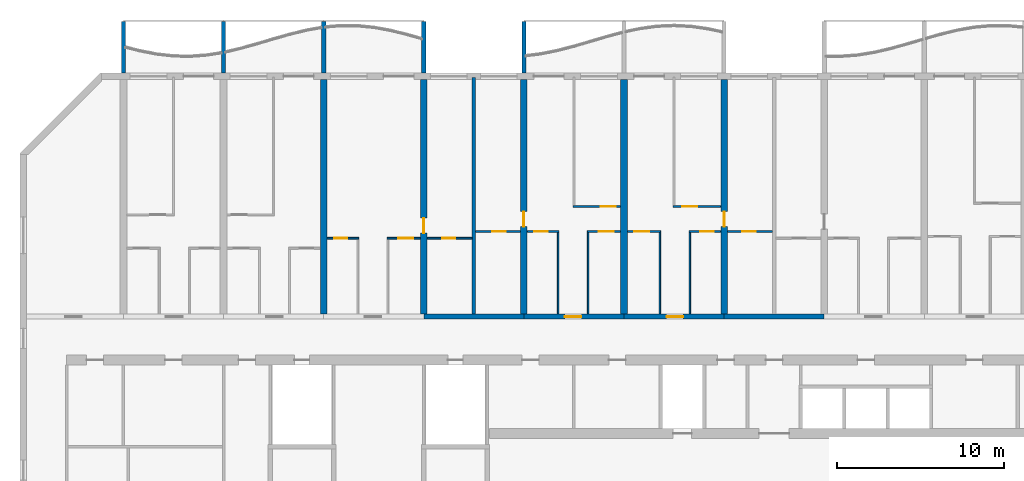
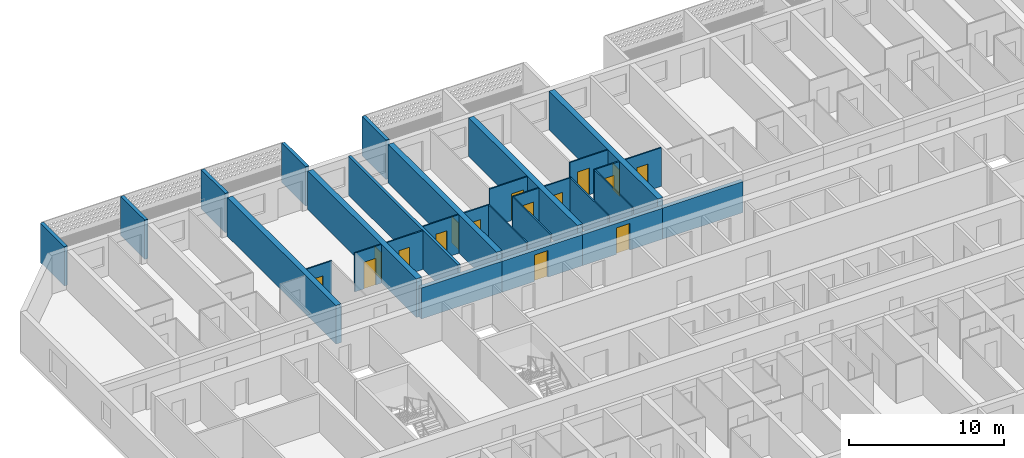
# One storey, part 10 of 39: 30 walls, 16 doors, 16 openings.
"""IFC4 building model written with IfcOpenShell, lengths in metres."""

from ifc_helpers import new_model, si_unit, direction, frame, frame_2d, origin, place, context, subcontext, project, spatial, polyline, rectangle, outline, extrude, source, transform, mapped, material, layer, layer_set, type_object, element, fill, save


model = new_model("IFC4")

# Units and contexts
model_context = context("Model", 3, precision=1e-05, world=origin(), true_north=direction((0.0, 1.0)))
body_context = subcontext(model_context, "Body", "Model", "MODEL_VIEW")
ifc_project = project(units=[si_unit("LENGTHUNIT", "METRE"), si_unit("AREAUNIT", "SQUARE_METRE"), si_unit("VOLUMEUNIT", "CUBIC_METRE"), si_unit("PLANEANGLEUNIT", "RADIAN"), si_unit("MASSUNIT", "GRAM", prefix="KILO")], contexts=[model_context])

# Site, building, storey
site_placement = place(None, origin())
site = spatial("IfcSite", under=ifc_project, at=site_placement, CompositionType="ELEMENT")
building_placement = place(site_placement, origin())
building = spatial("IfcBuilding", under=site, at=building_placement, Name="Poui Terraces", CompositionType="ELEMENT")
storey_placement = place(building_placement, frame((0.0, 0.0, 56.39990234375)))
storey = spatial("IfcBuildingStorey", under=building, at=storey_placement, Name="L15", CompositionType="ELEMENT", Elevation=56.39990234375)

# Wall
ifc_material_1 = material(Name="Concrete 80 MPa", Category="concrete")
ifc_layer_1 = layer(ifc_material_1, 0.300048828125)
ifc_layer_set_1 = layer_set([ifc_layer_1], Name="Concrete 80 MPa")
wall_type_1 = type_object("IfcWallType", Name="CORRIDOR WALL 300 80MPa", PredefinedType="SHEAR", material=ifc_layer_set_1)
wall_1_placement = place(storey_placement, frame((30.0, 30.39990234375, 0.0), z_axis=(0.0, 0.0, 1.0), x_axis=(1.0, 0.0, 0.0)))
element("IfcWall", 1, at=wall_1_placement, inside=storey, type_object=wall_type_1, Name="CORRIDOR WALL LINE E BAY 5", PredefinedType="SHEAR", context=body_context, shape_type="SweptSolid", body=[
    extrude(rectangle(XDim=6.0, YDim=0.300048828125, at=frame_2d((3.0, 0.0))), origin(), (0.0, 0.0, 1.0), 2.4501953125),
])

# Wall, opening, door
wall_2_placement = place(storey_placement, frame((36.0, 30.39990234375, 0.0), z_axis=(0.0, 0.0, 1.0), x_axis=(1.0, 0.0, 0.0)))
wall_2 = element("IfcWall", 2, at=wall_2_placement, inside=storey, type_object=wall_type_1, Name="CORRIDOR WALL LINE E BAY 6", PredefinedType="SHEAR", context=body_context, shape_type="SweptSolid", body=[
    extrude(rectangle(XDim=6.0, YDim=0.300048828125, at=frame_2d((3.0, 0.0))), origin(), (0.0, 0.0, 1.0), 2.4501953125),
])
opening_1_placement = place(wall_2_placement, frame((2.449951171875, 0.0, 0.0)))
opening_1 = element("IfcOpeningElement", 3, at=opening_1_placement, cuts=wall_2, Name="Opening FD30S", PredefinedType="OPENING", context=body_context, shape_type="SweptSolid", body=[
    extrude(rectangle(XDim=1.0, YDim=2.10009765625, at=frame_2d((0.5, 1.050048828125))), frame((0.0, 0.16015625, 0.0), z_axis=(0.0, -1.0, 0.0), x_axis=(1.0, 0.0, 0.0)), (0.0, 0.0, 1.0), 0.320068359375),
])
ifc_material_2 = material(Name="Steel fire door", Category="steel")
door_type_1 = type_object("IfcDoorType", Name="FLAT ENTRANCE DOOR 1000 X 2100", OperationType="NOTDEFINED", PredefinedType="DOOR", material=ifc_material_2)
door_1_placement = place(opening_1_placement, origin())
door_1 = element("IfcDoor", 4, at=door_1_placement, inside=storey, type_object=door_type_1, Name="FLAT ENTRANCE DOOR 049", OperationType="SINGLE_SWING_LEFT", OverallHeight=2.10009765625, OverallWidth=1.0, PredefinedType="DOOR", context=body_context, shape_type="SweptSolid", body=[
    extrude(rectangle(XDim=1.0, YDim=2.10009765625, at=frame_2d((0.5, 1.050048828125))), frame((0.0, 0.02490234375, 0.0), z_axis=(0.0, -1.0, 0.0), x_axis=(1.0, 0.0, 0.0)), (0.0, 0.0, 1.0), 0.050048828125),
])
fill(opening_1, door_1)

wall_3_placement = place(storey_placement, frame((42.0, 30.39990234375, 0.0), z_axis=(0.0, 0.0, 1.0), x_axis=(1.0, 0.0, 0.0)))
wall_3 = element("IfcWall", 5, at=wall_3_placement, inside=storey, type_object=wall_type_1, Name="CORRIDOR WALL LINE E BAY 7", PredefinedType="SHEAR", context=body_context, shape_type="SweptSolid", body=[
    extrude(rectangle(XDim=6.0, YDim=0.300048828125, at=frame_2d((3.0, 0.0))), origin(), (0.0, 0.0, 1.0), 2.4501953125),
])
opening_2_placement = place(wall_3_placement, frame((2.550048828125, 0.0, 0.0)))
opening_2 = element("IfcOpeningElement", 6, at=opening_2_placement, cuts=wall_3, Name="Opening FD30S", PredefinedType="OPENING", context=body_context, shape_type="SweptSolid", body=[
    extrude(rectangle(XDim=1.0, YDim=2.10009765625, at=frame_2d((0.5, 1.050048828125))), frame((0.0, 0.16015625, 0.0), z_axis=(0.0, -1.0, 0.0), x_axis=(1.0, 0.0, 0.0)), (0.0, 0.0, 1.0), 0.320068359375),
])
door_2_placement = place(opening_2_placement, origin())
door_2 = element("IfcDoor", 7, at=door_2_placement, inside=storey, type_object=door_type_1, Name="FLAT ENTRANCE DOOR 054", OperationType="SINGLE_SWING_RIGHT", OverallHeight=2.10009765625, OverallWidth=1.0, PredefinedType="DOOR", context=body_context, shape_type="SweptSolid", body=[
    extrude(rectangle(XDim=1.0, YDim=2.10009765625, at=frame_2d((0.5, 1.050048828125))), frame((0.0, 0.02490234375, 0.0), z_axis=(0.0, -1.0, 0.0), x_axis=(1.0, 0.0, 0.0)), (0.0, 0.0, 1.0), 0.050048828125),
])
fill(opening_2, door_2)

# Walls
wall_4_placement = place(storey_placement, frame((48.0, 30.39990234375, 0.0), z_axis=(0.0, 0.0, 1.0), x_axis=(1.0, 0.0, 0.0)))
element("IfcWall", 8, at=wall_4_placement, inside=storey, type_object=wall_type_1, Name="CORRIDOR WALL LINE E BAY 8", PredefinedType="SHEAR", context=body_context, shape_type="SweptSolid", body=[
    extrude(rectangle(XDim=6.0, YDim=0.300048828125, at=frame_2d((3.0, 0.0))), origin(), (0.0, 0.0, 1.0), 2.4501953125),
])
ifc_layer_2 = layer(ifc_material_1, 0.39990234375)
ifc_layer_set_2 = layer_set([ifc_layer_2], Name="Concrete 80 MPa")
wall_type_2 = type_object("IfcWallType", Name="CROSS WALL 400 80MPa", PredefinedType="SHEAR", material=ifc_layer_set_2)
wall_5_placement = place(storey_placement, frame((24.0, 30.550048828125, 0.0), z_axis=(0.0, 0.0, 1.0), x_axis=(0.0, 1.0, 0.0)))
element("IfcWall", 9, at=wall_5_placement, inside=storey, type_object=wall_type_2, Name="CROSS WALL LINE 5 NORTH", PredefinedType="SHEAR", context=body_context, shape_type="SweptSolid", body=[
    extrude(rectangle(XDim=14.050048828125, YDim=0.39990234375, at=frame_2d((7.02490234375, 0.0))), origin(), (0.0, 0.0, 1.0), 3.050048828125),
])

# Wall, opening, door
wall_6_placement = place(storey_placement, frame((30.0, 30.550048828125, 0.0), z_axis=(0.0, 0.0, 1.0), x_axis=(0.0, 1.0, 0.0)))
wall_6 = element("IfcWall", 10, at=wall_6_placement, inside=storey, type_object=wall_type_2, Name="CROSS WALL LINE 6 NORTH", PredefinedType="SHEAR", context=body_context, shape_type="SweptSolid", body=[
    extrude(rectangle(XDim=14.050048828125, YDim=0.39990234375, at=frame_2d((7.02490234375, 0.0))), origin(), (0.0, 0.0, 1.0), 3.050048828125),
])
opening_3_placement = place(wall_6_placement, frame((4.85009765625, 0.0, 0.0)))
opening_3 = element("IfcOpeningElement", 11, at=opening_3_placement, cuts=wall_6, Name="Opening D90", PredefinedType="OPENING", context=body_context, shape_type="SweptSolid", body=[
    extrude(rectangle(XDim=0.89990234375, YDim=2.10009765625, at=frame_2d((0.449951171875, 1.050048828125))), frame((0.0, 0.2099609375, 0.0), z_axis=(0.0, -1.0, 0.0), x_axis=(1.0, 0.0, 0.0)), (0.0, 0.0, 1.0), 0.419921875),
])
ifc_material_3 = material(Name="Solid core timber door", Category="wood")
door_type_2 = type_object("IfcDoorType", Name="INTERNAL DOOR 900 X 2100", OperationType="NOTDEFINED", PredefinedType="DOOR", material=ifc_material_3)
door_3_placement = place(opening_3_placement, frame((0.89990234375, 0.0, 0.0), z_axis=(0.0, 0.0, 1.0), x_axis=(-1.0, 0.0, 0.0)))
door_3 = element("IfcDoor", 12, at=door_3_placement, inside=storey, type_object=door_type_2, Name="INTERNAL DOOR 045", OperationType="SINGLE_SWING_RIGHT", OverallHeight=2.10009765625, OverallWidth=0.89990234375, PredefinedType="DOOR", context=body_context, shape_type="SweptSolid", body=[
    extrude(rectangle(XDim=0.89990234375, YDim=2.10009765625, at=frame_2d((0.449951171875, 1.050048828125))), frame((0.0, 0.02490234375, 0.0), z_axis=(0.0, -1.0, 0.0), x_axis=(1.0, 0.0, 0.0)), (0.0, 0.0, 1.0), 0.050048828125),
])
fill(opening_3, door_3)

wall_7_placement = place(storey_placement, frame((36.0, 30.550048828125, 0.0), z_axis=(0.0, 0.0, 1.0), x_axis=(0.0, 1.0, 0.0)))
wall_7 = element("IfcWall", 13, at=wall_7_placement, inside=storey, type_object=wall_type_2, Name="CROSS WALL LINE 7 NORTH", PredefinedType="SHEAR", context=body_context, shape_type="SweptSolid", body=[
    extrude(rectangle(XDim=14.050048828125, YDim=0.39990234375, at=frame_2d((7.02490234375, 0.0))), origin(), (0.0, 0.0, 1.0), 3.050048828125),
])
opening_4_placement = place(wall_7_placement, frame((5.25, 0.0, 0.0)))
opening_4 = element("IfcOpeningElement", 14, at=opening_4_placement, cuts=wall_7, Name="Opening D90", PredefinedType="OPENING", context=body_context, shape_type="SweptSolid", body=[
    extrude(rectangle(XDim=0.89990234375, YDim=2.10009765625, at=frame_2d((0.449951171875, 1.050048828125))), frame((0.0, 0.2099609375, 0.0), z_axis=(0.0, -1.0, 0.0), x_axis=(1.0, 0.0, 0.0)), (0.0, 0.0, 1.0), 0.419921875),
])
door_4_placement = place(opening_4_placement, origin())
door_4 = element("IfcDoor", 15, at=door_4_placement, inside=storey, type_object=door_type_2, Name="INTERNAL DOOR 047", OperationType="SINGLE_SWING_LEFT", OverallHeight=2.10009765625, OverallWidth=0.89990234375, PredefinedType="DOOR", context=body_context, shape_type="SweptSolid", body=[
    extrude(rectangle(XDim=0.89990234375, YDim=2.10009765625, at=frame_2d((0.449951171875, 1.050048828125))), frame((0.0, 0.02490234375, 0.0), z_axis=(0.0, -1.0, 0.0), x_axis=(1.0, 0.0, 0.0)), (0.0, 0.0, 1.0), 0.050048828125),
])
fill(opening_4, door_4)

# Wall
wall_8_placement = place(storey_placement, frame((42.0, 30.550048828125, 0.0), z_axis=(0.0, 0.0, 1.0), x_axis=(0.0, 1.0, 0.0)))
element("IfcWall", 16, at=wall_8_placement, inside=storey, type_object=wall_type_2, Name="CROSS WALL LINE 8 NORTH", PredefinedType="SHEAR", context=body_context, shape_type="SweptSolid", body=[
    extrude(rectangle(XDim=14.050048828125, YDim=0.39990234375, at=frame_2d((7.02490234375, 0.0))), origin(), (0.0, 0.0, 1.0), 3.050048828125),
])

# Wall, opening, door
wall_9_placement = place(storey_placement, frame((48.0, 30.550048828125, 0.0), z_axis=(0.0, 0.0, 1.0), x_axis=(0.0, 1.0, 0.0)))
wall_9 = element("IfcWall", 17, at=wall_9_placement, inside=storey, type_object=wall_type_2, Name="CROSS WALL LINE 9 NORTH", PredefinedType="SHEAR", context=body_context, shape_type="SweptSolid", body=[
    extrude(rectangle(XDim=14.050048828125, YDim=0.39990234375, at=frame_2d((7.02490234375, 0.0))), origin(), (0.0, 0.0, 1.0), 3.050048828125),
])
opening_5_placement = place(wall_9_placement, frame((5.25, 0.0, 0.0)))
opening_5 = element("IfcOpeningElement", 18, at=opening_5_placement, cuts=wall_9, Name="Opening D90", PredefinedType="OPENING", context=body_context, shape_type="SweptSolid", body=[
    extrude(rectangle(XDim=0.89990234375, YDim=2.10009765625, at=frame_2d((0.449951171875, 1.050048828125))), frame((0.0, 0.2099609375, 0.0), z_axis=(0.0, -1.0, 0.0), x_axis=(1.0, 0.0, 0.0)), (0.0, 0.0, 1.0), 0.419921875),
])
door_5_placement = place(opening_5_placement, frame((0.89990234375, 0.0, 0.0), z_axis=(0.0, 0.0, 1.0), x_axis=(-1.0, 0.0, 0.0)))
door_5 = element("IfcDoor", 19, at=door_5_placement, inside=storey, type_object=door_type_2, Name="INTERNAL DOOR 057", OperationType="SINGLE_SWING_RIGHT", OverallHeight=2.10009765625, OverallWidth=0.89990234375, PredefinedType="DOOR", context=body_context, shape_type="SweptSolid", body=[
    extrude(rectangle(XDim=0.89990234375, YDim=2.10009765625, at=frame_2d((0.449951171875, 1.050048828125))), frame((0.0, 0.02490234375, 0.0), z_axis=(0.0, -1.0, 0.0), x_axis=(1.0, 0.0, 0.0)), (0.0, 0.0, 1.0), 0.050048828125),
])
fill(opening_5, door_5)

ifc_material_4 = material(Name="Plasterboard partition")
ifc_layer_3 = layer(ifc_material_4, 0.10009765625)
ifc_layer_set_3 = layer_set([ifc_layer_3], Name="Plasterboard partition")
wall_type_3 = type_object("IfcWallType", Name="FLAT PARTITION 100", PredefinedType="PARTITIONING", material=ifc_layer_set_3)
wall_10_placement = place(storey_placement, frame((24.2099609375, 35.10009765625, 0.0), z_axis=(0.0, 0.0, 1.0), x_axis=(1.0, 0.0, 0.0)))
wall_10 = element("IfcWall", 20, at=wall_10_placement, inside=storey, type_object=wall_type_3, Name="FLAT PARTITION 100", PredefinedType="PARTITIONING", context=body_context, shape_type="SweptSolid", body=[
    extrude(rectangle(XDim=1.89013671875, YDim=0.10009765625, at=frame_2d((0.945068359375, 0.0))), origin(), (0.0, 0.0, 1.0), 3.050048828125),
])
opening_6_placement = place(wall_10_placement, frame((0.4150390625, 0.0, 0.0)))
opening_6 = element("IfcOpeningElement", 21, at=opening_6_placement, cuts=wall_10, Name="Opening D80", PredefinedType="OPENING", context=body_context, shape_type="SweptSolid", body=[
    extrude(rectangle(XDim=0.800048828125, YDim=2.10009765625, at=frame_2d((0.39990234375, 1.050048828125))), frame((0.0, 0.06005859375, 0.0), z_axis=(0.0, -1.0, 0.0), x_axis=(1.0, 0.0, 0.0)), (0.0, 0.0, 1.0), 0.1201171875),
])
door_type_3 = type_object("IfcDoorType", Name="BATHROOM, LAUNDRY AND STORE DOOR 800 X 2100", OperationType="NOTDEFINED", PredefinedType="DOOR", material=ifc_material_3)
door_6_placement = place(opening_6_placement, frame((0.800048828125, 0.0, 0.0), z_axis=(0.0, 0.0, 1.0), x_axis=(-1.0, 0.0, 0.0)))
door_6 = element("IfcDoor", 22, at=door_6_placement, inside=storey, type_object=door_type_3, Name="BATHROOM, LAUNDRY AND STORE DOOR 042", OperationType="SINGLE_SWING_RIGHT", OverallHeight=2.10009765625, OverallWidth=0.800048828125, PredefinedType="DOOR", context=body_context, shape_type="SweptSolid", body=[
    extrude(rectangle(XDim=0.800048828125, YDim=2.10009765625, at=frame_2d((0.39990234375, 1.050048828125))), frame((0.0, 0.02490234375, 0.0), z_axis=(0.0, -1.0, 0.0), x_axis=(1.0, 0.0, 0.0)), (0.0, 0.0, 1.0), 0.050048828125),
])
fill(opening_6, door_6)

wall_11_placement = place(storey_placement, frame((27.800048828125, 35.10009765625, 0.0), z_axis=(0.0, 0.0, 1.0), x_axis=(1.0, 0.0, 0.0)))
wall_11 = element("IfcWall", 23, at=wall_11_placement, inside=storey, type_object=wall_type_3, Name="FLAT PARTITION 100", PredefinedType="PARTITIONING", context=body_context, shape_type="SweptSolid", body=[
    extrude(rectangle(XDim=1.989990234375, YDim=0.10009765625, at=frame_2d((0.9951171875, 0.0))), origin(), (0.0, 0.0, 1.0), 3.050048828125),
])
opening_7_placement = place(wall_11_placement, frame((0.675048828125, 0.0, 0.0)))
opening_7 = element("IfcOpeningElement", 24, at=opening_7_placement, cuts=wall_11, Name="Opening D90", PredefinedType="OPENING", context=body_context, shape_type="SweptSolid", body=[
    extrude(rectangle(XDim=0.89990234375, YDim=2.10009765625, at=frame_2d((0.449951171875, 1.050048828125))), frame((0.0, 0.06005859375, 0.0), z_axis=(0.0, -1.0, 0.0), x_axis=(1.0, 0.0, 0.0)), (0.0, 0.0, 1.0), 0.1201171875),
])
door_7_placement = place(opening_7_placement, frame((0.89990234375, 0.0, 0.0), z_axis=(0.0, 0.0, 1.0), x_axis=(-1.0, 0.0, 0.0)))
door_7 = element("IfcDoor", 25, at=door_7_placement, inside=storey, type_object=door_type_2, Name="INTERNAL DOOR 044", OperationType="SINGLE_SWING_LEFT", OverallHeight=2.10009765625, OverallWidth=0.89990234375, PredefinedType="DOOR", context=body_context, shape_type="SweptSolid", body=[
    extrude(rectangle(XDim=0.89990234375, YDim=2.10009765625, at=frame_2d((0.449951171875, 1.050048828125))), frame((0.0, 0.02490234375, 0.0), z_axis=(0.0, -1.0, 0.0), x_axis=(1.0, 0.0, 0.0)), (0.0, 0.0, 1.0), 0.050048828125),
])
fill(opening_7, door_7)

wall_12_placement = place(storey_placement, frame((30.2099609375, 35.10009765625, 0.0), z_axis=(0.0, 0.0, 1.0), x_axis=(1.0, 0.0, 0.0)))
wall_12 = element("IfcWall", 26, at=wall_12_placement, inside=storey, type_object=wall_type_3, Name="FLAT PARTITION 100", PredefinedType="PARTITIONING", context=body_context, shape_type="SweptSolid", body=[
    extrude(rectangle(XDim=2.68994140625, YDim=0.10009765625, at=frame_2d((1.344970703125, 0.0))), origin(), (0.0, 0.0, 1.0), 3.050048828125),
])
opening_8_placement = place(wall_12_placement, frame((0.889892578125, 0.0, 0.0)))
opening_8 = element("IfcOpeningElement", 27, at=opening_8_placement, cuts=wall_12, Name="Opening D80", PredefinedType="OPENING", context=body_context, shape_type="SweptSolid", body=[
    extrude(rectangle(XDim=0.800048828125, YDim=2.10009765625, at=frame_2d((0.39990234375, 1.050048828125))), frame((0.0, 0.06005859375, 0.0), z_axis=(0.0, -1.0, 0.0), x_axis=(1.0, 0.0, 0.0)), (0.0, 0.0, 1.0), 0.1201171875),
])
door_8_placement = place(opening_8_placement, frame((0.800048828125, 0.0, 0.0), z_axis=(0.0, 0.0, 1.0), x_axis=(-1.0, 0.0, 0.0)))
door_8 = element("IfcDoor", 28, at=door_8_placement, inside=storey, type_object=door_type_3, Name="BATHROOM, LAUNDRY AND STORE DOOR 041", OperationType="SINGLE_SWING_LEFT", OverallHeight=2.10009765625, OverallWidth=0.800048828125, PredefinedType="DOOR", context=body_context, shape_type="SweptSolid", body=[
    extrude(rectangle(XDim=0.800048828125, YDim=2.10009765625, at=frame_2d((0.39990234375, 1.050048828125))), frame((0.0, 0.02490234375, 0.0), z_axis=(0.0, -1.0, 0.0), x_axis=(1.0, 0.0, 0.0)), (0.0, 0.0, 1.0), 0.050048828125),
])
fill(opening_8, door_8)

wall_13_placement = place(storey_placement, frame((33.10009765625, 35.5, 0.0), z_axis=(0.0, 0.0, 1.0), x_axis=(1.0, 0.0, 0.0)))
wall_13 = element("IfcWall", 29, at=wall_13_placement, inside=storey, type_object=wall_type_3, Name="FLAT PARTITION 100", PredefinedType="PARTITIONING", context=body_context, shape_type="SweptSolid", body=[
    extrude(rectangle(XDim=2.68994140625, YDim=0.10009765625, at=frame_2d((1.344970703125, 0.0))), origin(), (0.0, 0.0, 1.0), 3.050048828125),
])
opening_9_placement = place(wall_13_placement, frame((1.0, 0.0, 0.0)))
opening_9 = element("IfcOpeningElement", 30, at=opening_9_placement, cuts=wall_13, Name="Opening D80", PredefinedType="OPENING", context=body_context, shape_type="SweptSolid", body=[
    extrude(rectangle(XDim=0.800048828125, YDim=2.10009765625, at=frame_2d((0.39990234375, 1.050048828125))), frame((0.0, 0.06005859375, 0.0), z_axis=(0.0, -1.0, 0.0), x_axis=(1.0, 0.0, 0.0)), (0.0, 0.0, 1.0), 0.1201171875),
])
door_9_placement = place(opening_9_placement, frame((0.800048828125, 0.0, 0.0), z_axis=(0.0, 0.0, 1.0), x_axis=(-1.0, 0.0, 0.0)))
door_9 = element("IfcDoor", 31, at=door_9_placement, inside=storey, type_object=door_type_3, Name="BATHROOM, LAUNDRY AND STORE DOOR 046", OperationType="SINGLE_SWING_RIGHT", OverallHeight=2.10009765625, OverallWidth=0.800048828125, PredefinedType="DOOR", context=body_context, shape_type="SweptSolid", body=[
    extrude(rectangle(XDim=0.800048828125, YDim=2.10009765625, at=frame_2d((0.39990234375, 1.050048828125))), frame((0.0, 0.02490234375, 0.0), z_axis=(0.0, -1.0, 0.0), x_axis=(1.0, 0.0, 0.0)), (0.0, 0.0, 1.0), 0.050048828125),
])
fill(opening_9, door_9)

wall_14_placement = place(storey_placement, frame((36.2099609375, 35.5, 0.0), z_axis=(0.0, 0.0, 1.0), x_axis=(1.0, 0.0, 0.0)))
wall_14 = element("IfcWall", 32, at=wall_14_placement, inside=storey, type_object=wall_type_3, Name="FLAT PARTITION 100", PredefinedType="PARTITIONING", context=body_context, shape_type="SweptSolid", body=[
    extrude(rectangle(XDim=1.89013671875, YDim=0.10009765625, at=frame_2d((0.945068359375, 0.0))), origin(), (0.0, 0.0, 1.0), 3.050048828125),
])
opening_10_placement = place(wall_14_placement, frame((0.4150390625, 0.0, 0.0)))
opening_10 = element("IfcOpeningElement", 33, at=opening_10_placement, cuts=wall_14, Name="Opening D80", PredefinedType="OPENING", context=body_context, shape_type="SweptSolid", body=[
    extrude(rectangle(XDim=0.800048828125, YDim=2.10009765625, at=frame_2d((0.39990234375, 1.050048828125))), frame((0.0, 0.06005859375, 0.0), z_axis=(0.0, -1.0, 0.0), x_axis=(1.0, 0.0, 0.0)), (0.0, 0.0, 1.0), 0.1201171875),
])
door_10_placement = place(opening_10_placement, frame((0.800048828125, 0.0, 0.0), z_axis=(0.0, 0.0, 1.0), x_axis=(-1.0, 0.0, 0.0)))
door_10 = element("IfcDoor", 34, at=door_10_placement, inside=storey, type_object=door_type_3, Name="BATHROOM, LAUNDRY AND STORE DOOR 048", OperationType="SINGLE_SWING_RIGHT", OverallHeight=2.10009765625, OverallWidth=0.800048828125, PredefinedType="DOOR", context=body_context, shape_type="SweptSolid", body=[
    extrude(rectangle(XDim=0.800048828125, YDim=2.10009765625, at=frame_2d((0.39990234375, 1.050048828125))), frame((0.0, 0.02490234375, 0.0), z_axis=(0.0, -1.0, 0.0), x_axis=(1.0, 0.0, 0.0)), (0.0, 0.0, 1.0), 0.050048828125),
])
fill(opening_10, door_10)

wall_15_placement = place(storey_placement, frame((39.800048828125, 35.5, 0.0), z_axis=(0.0, 0.0, 1.0), x_axis=(1.0, 0.0, 0.0)))
wall_15 = element("IfcWall", 35, at=wall_15_placement, inside=storey, type_object=wall_type_3, Name="FLAT PARTITION 100", PredefinedType="PARTITIONING", context=body_context, shape_type="SweptSolid", body=[
    extrude(rectangle(XDim=1.989990234375, YDim=0.10009765625, at=frame_2d((0.9951171875, 0.0))), origin(), (0.0, 0.0, 1.0), 3.050048828125),
])
opening_11_placement = place(wall_15_placement, frame((0.675048828125, 0.0, 0.0)))
opening_11 = element("IfcOpeningElement", 36, at=opening_11_placement, cuts=wall_15, Name="Opening D90", PredefinedType="OPENING", context=body_context, shape_type="SweptSolid", body=[
    extrude(rectangle(XDim=0.89990234375, YDim=2.10009765625, at=frame_2d((0.449951171875, 1.050048828125))), frame((0.0, 0.06005859375, 0.0), z_axis=(0.0, -1.0, 0.0), x_axis=(1.0, 0.0, 0.0)), (0.0, 0.0, 1.0), 0.1201171875),
])
door_11_placement = place(opening_11_placement, frame((0.89990234375, 0.0, 0.0), z_axis=(0.0, 0.0, 1.0), x_axis=(-1.0, 0.0, 0.0)))
door_11 = element("IfcDoor", 37, at=door_11_placement, inside=storey, type_object=door_type_2, Name="INTERNAL DOOR 050", OperationType="SINGLE_SWING_LEFT", OverallHeight=2.10009765625, OverallWidth=0.89990234375, PredefinedType="DOOR", context=body_context, shape_type="SweptSolid", body=[
    extrude(rectangle(XDim=0.89990234375, YDim=2.10009765625, at=frame_2d((0.449951171875, 1.050048828125))), frame((0.0, 0.02490234375, 0.0), z_axis=(0.0, -1.0, 0.0), x_axis=(1.0, 0.0, 0.0)), (0.0, 0.0, 1.0), 0.050048828125),
])
fill(opening_11, door_11)

wall_16_placement = place(storey_placement, frame((42.2099609375, 35.5, 0.0), z_axis=(0.0, 0.0, 1.0), x_axis=(1.0, 0.0, 0.0)))
wall_16 = element("IfcWall", 38, at=wall_16_placement, inside=storey, type_object=wall_type_3, Name="FLAT PARTITION 100", PredefinedType="PARTITIONING", context=body_context, shape_type="SweptSolid", body=[
    extrude(rectangle(XDim=1.989990234375, YDim=0.10009765625, at=frame_2d((0.9951171875, 0.0))), origin(), (0.0, 0.0, 1.0), 3.050048828125),
])
opening_12_placement = place(wall_16_placement, frame((0.4150390625, 0.0, 0.0)))
opening_12 = element("IfcOpeningElement", 39, at=opening_12_placement, cuts=wall_16, Name="Opening D90", PredefinedType="OPENING", context=body_context, shape_type="SweptSolid", body=[
    extrude(rectangle(XDim=0.89990234375, YDim=2.10009765625, at=frame_2d((0.449951171875, 1.050048828125))), frame((0.0, 0.06005859375, 0.0), z_axis=(0.0, -1.0, 0.0), x_axis=(1.0, 0.0, 0.0)), (0.0, 0.0, 1.0), 0.1201171875),
])
door_12_placement = place(opening_12_placement, frame((0.89990234375, 0.0, 0.0), z_axis=(0.0, 0.0, 1.0), x_axis=(-1.0, 0.0, 0.0)))
door_12 = element("IfcDoor", 40, at=door_12_placement, inside=storey, type_object=door_type_2, Name="INTERNAL DOOR 053", OperationType="SINGLE_SWING_LEFT", OverallHeight=2.10009765625, OverallWidth=0.89990234375, PredefinedType="DOOR", context=body_context, shape_type="SweptSolid", body=[
    extrude(rectangle(XDim=0.89990234375, YDim=2.10009765625, at=frame_2d((0.449951171875, 1.050048828125))), frame((0.0, 0.02490234375, 0.0), z_axis=(0.0, -1.0, 0.0), x_axis=(1.0, 0.0, 0.0)), (0.0, 0.0, 1.0), 0.050048828125),
])
fill(opening_12, door_12)

wall_17_placement = place(storey_placement, frame((45.89990234375, 35.5, 0.0), z_axis=(0.0, 0.0, 1.0), x_axis=(1.0, 0.0, 0.0)))
wall_17 = element("IfcWall", 41, at=wall_17_placement, inside=storey, type_object=wall_type_3, Name="FLAT PARTITION 100", PredefinedType="PARTITIONING", context=body_context, shape_type="SweptSolid", body=[
    extrude(rectangle(XDim=1.89013671875, YDim=0.10009765625, at=frame_2d((0.945068359375, 0.0))), origin(), (0.0, 0.0, 1.0), 3.050048828125),
])
opening_13_placement = place(wall_17_placement, frame((0.675048828125, 0.0, 0.0)))
opening_13 = element("IfcOpeningElement", 42, at=opening_13_placement, cuts=wall_17, Name="Opening D80", PredefinedType="OPENING", context=body_context, shape_type="SweptSolid", body=[
    extrude(rectangle(XDim=0.800048828125, YDim=2.10009765625, at=frame_2d((0.39990234375, 1.050048828125))), frame((0.0, 0.06005859375, 0.0), z_axis=(0.0, -1.0, 0.0), x_axis=(1.0, 0.0, 0.0)), (0.0, 0.0, 1.0), 0.1201171875),
])
door_13_placement = place(opening_13_placement, frame((0.800048828125, 0.0, 0.0), z_axis=(0.0, 0.0, 1.0), x_axis=(-1.0, 0.0, 0.0)))
door_13 = element("IfcDoor", 43, at=door_13_placement, inside=storey, type_object=door_type_3, Name="BATHROOM, LAUNDRY AND STORE DOOR 056", OperationType="SINGLE_SWING_RIGHT", OverallHeight=2.10009765625, OverallWidth=0.800048828125, PredefinedType="DOOR", context=body_context, shape_type="SweptSolid", body=[
    extrude(rectangle(XDim=0.800048828125, YDim=2.10009765625, at=frame_2d((0.39990234375, 1.050048828125))), frame((0.0, 0.02490234375, 0.0), z_axis=(0.0, -1.0, 0.0), x_axis=(1.0, 0.0, 0.0)), (0.0, 0.0, 1.0), 0.050048828125),
])
fill(opening_13, door_13)

wall_18_placement = place(storey_placement, frame((48.2099609375, 35.5, 0.0), z_axis=(0.0, 0.0, 1.0), x_axis=(1.0, 0.0, 0.0)))
wall_18 = element("IfcWall", 44, at=wall_18_placement, inside=storey, type_object=wall_type_3, Name="FLAT PARTITION 100", PredefinedType="PARTITIONING", context=body_context, shape_type="SweptSolid", body=[
    extrude(rectangle(XDim=2.68994140625, YDim=0.10009765625, at=frame_2d((1.344970703125, 0.0))), origin(), (0.0, 0.0, 1.0), 3.050048828125),
])
opening_14_placement = place(wall_18_placement, frame((0.889892578125, 0.0, 0.0)))
opening_14 = element("IfcOpeningElement", 45, at=opening_14_placement, cuts=wall_18, Name="Opening D80", PredefinedType="OPENING", context=body_context, shape_type="SweptSolid", body=[
    extrude(rectangle(XDim=0.800048828125, YDim=2.10009765625, at=frame_2d((0.39990234375, 1.050048828125))), frame((0.0, 0.06005859375, 0.0), z_axis=(0.0, -1.0, 0.0), x_axis=(1.0, 0.0, 0.0)), (0.0, 0.0, 1.0), 0.1201171875),
])
door_14_placement = place(opening_14_placement, frame((0.800048828125, 0.0, 0.0), z_axis=(0.0, 0.0, 1.0), x_axis=(-1.0, 0.0, 0.0)))
door_14 = element("IfcDoor", 46, at=door_14_placement, inside=storey, type_object=door_type_3, Name="BATHROOM, LAUNDRY AND STORE DOOR 052", OperationType="SINGLE_SWING_LEFT", OverallHeight=2.10009765625, OverallWidth=0.800048828125, PredefinedType="DOOR", context=body_context, shape_type="SweptSolid", body=[
    extrude(rectangle(XDim=0.800048828125, YDim=2.10009765625, at=frame_2d((0.39990234375, 1.050048828125))), frame((0.0, 0.02490234375, 0.0), z_axis=(0.0, -1.0, 0.0), x_axis=(1.0, 0.0, 0.0)), (0.0, 0.0, 1.0), 0.050048828125),
])
fill(opening_14, door_14)

wall_19_placement = place(storey_placement, frame((38.949951171875, 37.0, 0.0), z_axis=(0.0, 0.0, 1.0), x_axis=(1.0, 0.0, 0.0)))
wall_19 = element("IfcWall", 47, at=wall_19_placement, inside=storey, type_object=wall_type_3, Name="FLAT PARTITION 100", PredefinedType="PARTITIONING", context=body_context, shape_type="SweptSolid", body=[
    extrude(rectangle(XDim=2.840087890625, YDim=0.10009765625, at=frame_2d((1.419921875, 0.0))), origin(), (0.0, 0.0, 1.0), 3.050048828125),
])
opening_15_placement = place(wall_19_placement, frame((1.64990234375, 0.0, 0.0)))
opening_15 = element("IfcOpeningElement", 48, at=opening_15_placement, cuts=wall_19, Name="Opening D90", PredefinedType="OPENING", context=body_context, shape_type="SweptSolid", body=[
    extrude(rectangle(XDim=0.89990234375, YDim=2.10009765625, at=frame_2d((0.449951171875, 1.050048828125))), frame((0.0, 0.06005859375, 0.0), z_axis=(0.0, -1.0, 0.0), x_axis=(1.0, 0.0, 0.0)), (0.0, 0.0, 1.0), 0.1201171875),
])
door_15_placement = place(opening_15_placement, frame((0.89990234375, 0.0, 0.0), z_axis=(0.0, 0.0, 1.0), x_axis=(-1.0, 0.0, 0.0)))
door_15 = element("IfcDoor", 49, at=door_15_placement, inside=storey, type_object=door_type_2, Name="INTERNAL DOOR 051", OperationType="SINGLE_SWING_RIGHT", OverallHeight=2.10009765625, OverallWidth=0.89990234375, PredefinedType="DOOR", context=body_context, shape_type="SweptSolid", body=[
    extrude(rectangle(XDim=0.89990234375, YDim=2.10009765625, at=frame_2d((0.449951171875, 1.050048828125))), frame((0.0, 0.02490234375, 0.0), z_axis=(0.0, -1.0, 0.0), x_axis=(1.0, 0.0, 0.0)), (0.0, 0.0, 1.0), 0.050048828125),
])
fill(opening_15, door_15)

wall_20_placement = place(storey_placement, frame((44.949951171875, 37.0, 0.0), z_axis=(0.0, 0.0, 1.0), x_axis=(1.0, 0.0, 0.0)))
wall_20 = element("IfcWall", 50, at=wall_20_placement, inside=storey, type_object=wall_type_3, Name="FLAT PARTITION 100", PredefinedType="PARTITIONING", context=body_context, shape_type="SweptSolid", body=[
    extrude(rectangle(XDim=2.840087890625, YDim=0.10009765625, at=frame_2d((1.419921875, 0.0))), origin(), (0.0, 0.0, 1.0), 3.050048828125),
])
opening_16_placement = place(wall_20_placement, frame((0.550048828125, 0.0, 0.0)))
opening_16 = element("IfcOpeningElement", 51, at=opening_16_placement, cuts=wall_20, Name="Opening D90", PredefinedType="OPENING", context=body_context, shape_type="SweptSolid", body=[
    extrude(rectangle(XDim=0.89990234375, YDim=2.10009765625, at=frame_2d((0.449951171875, 1.050048828125))), frame((0.0, 0.06005859375, 0.0), z_axis=(0.0, -1.0, 0.0), x_axis=(1.0, 0.0, 0.0)), (0.0, 0.0, 1.0), 0.1201171875),
])
door_16_placement = place(opening_16_placement, frame((0.89990234375, 0.0, 0.0), z_axis=(0.0, 0.0, 1.0), x_axis=(-1.0, 0.0, 0.0)))
door_16 = element("IfcDoor", 52, at=door_16_placement, inside=storey, type_object=door_type_2, Name="INTERNAL DOOR 055", OperationType="SINGLE_SWING_LEFT", OverallHeight=2.10009765625, OverallWidth=0.89990234375, PredefinedType="DOOR", context=body_context, shape_type="SweptSolid", body=[
    extrude(rectangle(XDim=0.89990234375, YDim=2.10009765625, at=frame_2d((0.449951171875, 1.050048828125))), frame((0.0, 0.02490234375, 0.0), z_axis=(0.0, -1.0, 0.0), x_axis=(1.0, 0.0, 0.0)), (0.0, 0.0, 1.0), 0.050048828125),
])
fill(opening_16, door_16)

# Walls
for number, where, z_axis, x_axis, name in (
    (53, (38.050048828125, 30.56005859375, 0.0), (0.0, 0.0, 1.0), (0.0, 1.0, 0.0), "FLAT PARTITION 100"),
    (54, (39.85009765625, 30.56005859375, 0.0), (0.0, 0.0, 1.0), (0.0, 1.0, 0.0), "FLAT PARTITION 100"),
    (55, (44.14990234375, 30.56005859375, 0.0), (0.0, 0.0, 1.0), (0.0, 1.0, 0.0), "FLAT PARTITION 100"),
    (56, (45.949951171875, 30.56005859375, 0.0), (0.0, 0.0, 1.0), (0.0, 1.0, 0.0), "FLAT PARTITION 100"),
):
    element("IfcWall", number, at=place(storey_placement, frame(where, z_axis=z_axis, x_axis=x_axis)), inside=storey, type_object=wall_type_3, Name=name, PredefinedType="PARTITIONING", context=body_context, shape_type="SweptSolid", body=[
        extrude(rectangle(XDim=4.889892578125, YDim=0.10009765625, at=frame_2d((2.44482421875, 0.0))), origin(), (0.0, 0.0, 1.0), 3.050048828125),
    ])
ifc_material_5 = material(Name="Fire-rated masonry wall", Category="masonry")
ifc_layer_4 = layer(ifc_material_5, 0.199951171875)
ifc_layer_set_4 = layer_set([ifc_layer_4], Name="Fire-rated masonry wall")
wall_type_4 = type_object("IfcWallType", Name="FLAT PARTY WALL 200", PredefinedType="PARTITIONING", material=ifc_layer_set_4)
wall_21_placement = place(storey_placement, frame((33.0, 30.56005859375, 0.0), z_axis=(0.0, 0.0, 1.0), x_axis=(0.0, 1.0, 0.0)))
element("IfcWall", 57, at=wall_21_placement, inside=storey, type_object=wall_type_4, Name="FLAT PARTY WALL 200", PredefinedType="PARTITIONING", context=body_context, shape_type="SweptSolid", body=[
    extrude(rectangle(XDim=14.179931640625, YDim=0.199951171875, at=frame_2d((7.08984375, 0.0))), origin(), (0.0, 0.0, 1.0), 3.050048828125),
])
ifc_material_6 = material(Name="Precast concrete 40 MPa", Category="concrete")
ifc_layer_5 = layer(ifc_material_6, 0.25)
ifc_layer_set_5 = layer_set([ifc_layer_5], Name="Precast concrete 40 MPa")
wall_type_5 = type_object("IfcWallType", Name="BALCONY FIN 250", PredefinedType="STANDARD", material=ifc_layer_set_5)
shared_shape = source(origin(), body_context, "Body", "SweptSolid", [
    extrude(outline(polyline([(0.0, 0.0), (0.25, 0.0), (0.25, 3.10009765625), (0.0, 3.10009765625), (0.0, 0.0)])), origin(), (0.0, 0.0, 1.0), 3.10009765625),
])
for number, where, name in (
    (58, (11.875, 45.0, 0.0), "BALCONY FIN"),
    (59, (17.875, 45.0, 0.0), "BALCONY FIN"),
    (60, (23.875, 45.0, 0.0), "BALCONY FIN"),
    (61, (29.875, 45.0, 0.0), "BALCONY FIN"),
    (62, (35.875, 45.0, 0.0), "BALCONY FIN"),
):
    element("IfcWall", number, at=place(storey_placement, frame(where)), inside=storey, type_object=wall_type_5, Name=name, PredefinedType="STANDARD", context=body_context, shape_type="MappedRepresentation", body=[
        mapped(shared_shape, transform((0.0, 0.0, 0.0))),
    ])

save(model, "model.ifc")
